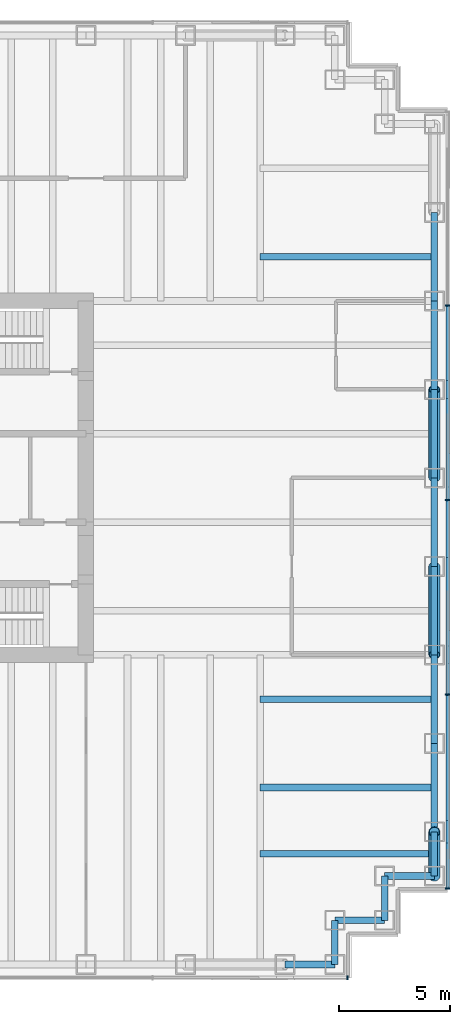
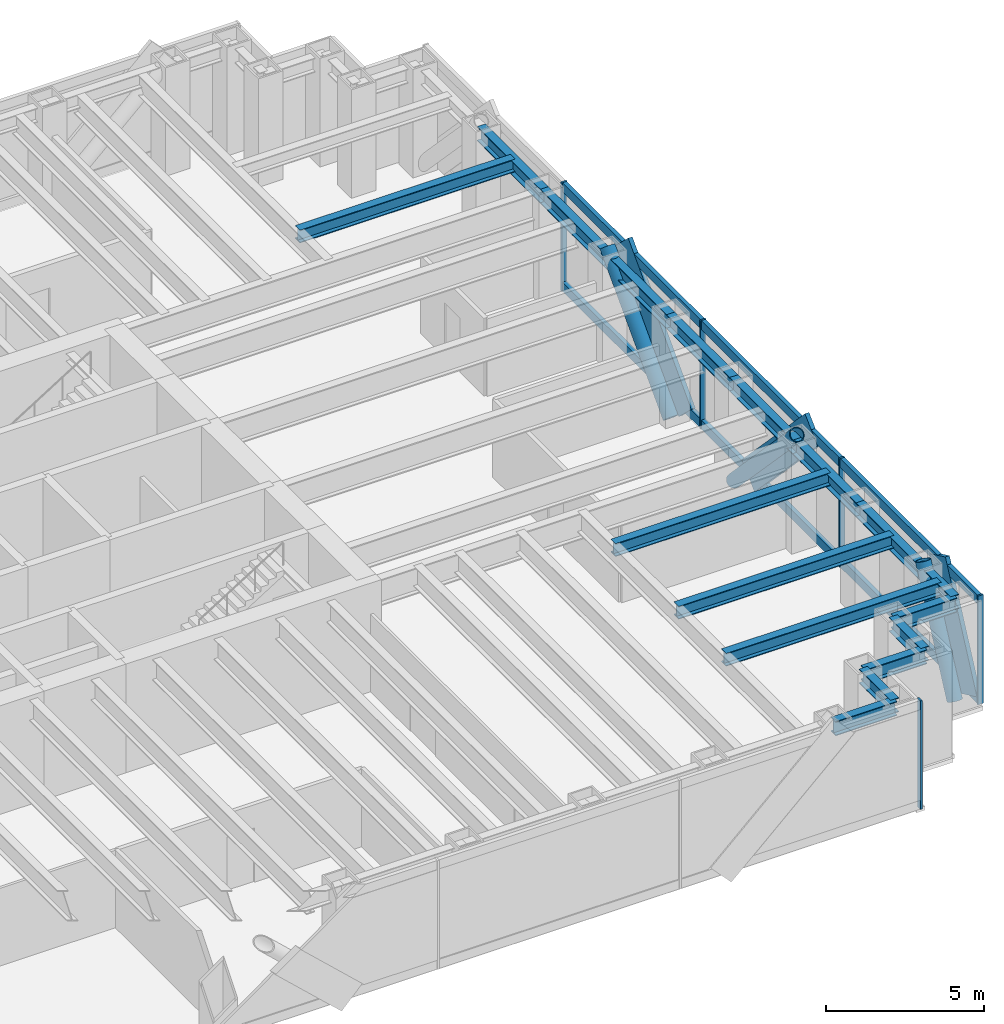
# One storey, part 8 of 15: 17 beams, 17 members, 2 elements without a shape of their own.
"""IFC4 building model written with IfcOpenShell, lengths in metres."""

from ifc_helpers import new_model, si_unit, direction, frame, origin, origin_2d, place, context, subcontext, project, spatial, rectangle, hollow_circle, i_section, extrude, material, material_profile, profile_set, type_object, element, aggregate, save


model = new_model("IFC4")

# Units and contexts
model_context = context("Model", 3, precision=1e-05, world=origin(), true_north=direction((0.0, 1.0)))
body_context = subcontext(model_context, "Body", "Model", "MODEL_VIEW")
ifc_project = project(units=[si_unit("LENGTHUNIT", "METRE"), si_unit("AREAUNIT", "SQUARE_METRE"), si_unit("VOLUMEUNIT", "CUBIC_METRE"), si_unit("PLANEANGLEUNIT", "RADIAN"), si_unit("MASSUNIT", "GRAM", prefix="KILO")], contexts=[model_context])

# Site, building, storey
site_placement = place(None, origin())
site = spatial("IfcSite", under=ifc_project, at=site_placement, CompositionType="ELEMENT")
building_placement = place(site_placement, origin())
building = spatial("IfcBuilding", under=site, at=building_placement, Name="Rheinbord Bourse Tower", CompositionType="ELEMENT")
storey_placement = place(building_placement, frame((0.0, 0.0, 296.300048828125)))
storey = spatial("IfcBuildingStorey", under=building, at=storey_placement, Name="L67", CompositionType="ELEMENT", Elevation=296.300048828125)

# Curtain wall, members
ifc_material_1 = material(Name="Dark glass and black aluminium", Category="aluminium")
curtain_wall_type = type_object("IfcCurtainWallType", Name="CW3 DARK GLASS CURTAIN WALL", PredefinedType="USERDEFINED", material=ifc_material_1)
curtain_wall_1_placement = place(storey_placement, origin())
curtain_wall_1 = element("IfcCurtainWall", 1, at=curtain_wall_1_placement, inside=storey, type_object=curtain_wall_type, Name="Curtain wall CW3 E L67", ObjectType="UNITISED CURTAIN WALL", PredefinedType="USERDEFINED")
ifc_material_2 = material(Name="Black anodised aluminium", Category="aluminium")
ifc_material_profile_1 = material_profile(ifc_material_2, rectangle(XDim=0.14990234375, YDim=1.10791015625, at=origin_2d()), Name="CW3 DIAGONAL MULLION 1108x150")
ifc_profile_set_1 = profile_set([ifc_material_profile_1], Name="Black anodised aluminium")
member_type_1 = type_object("IfcMemberType", Name="CW3 BLACK DIAGONAL MULLION", PredefinedType="USERDEFINED", material=ifc_profile_set_1)
member_1_placement = place(storey_placement, frame((70.35009765625, 20.0, 0.0), z_axis=(0.0, -0.689659376744, 0.724133926887), x_axis=(1.0, 0.0, 0.0)))
member_1 = element("IfcMember", 2, at=member_1_placement, type_object=member_type_1, Name="CW3 diagonal mullion a", ObjectType="DIAGONAL MULLION", PredefinedType="USERDEFINED", context=body_context, shape_type="SweptSolid", body=[
    extrude(rectangle(XDim=0.14990234375, YDim=1.10791015625, at=origin_2d()), origin(), (0.0, 0.0, 1.0), 5.800048828125),
])
member_2_placement = place(storey_placement, frame((70.35009765625, 24.0, 0.0), z_axis=(0.0, 0.689659376744, 0.724133926887), x_axis=(-1.0, 0.0, 0.0)))
member_2 = element("IfcMember", 3, at=member_2_placement, type_object=member_type_1, Name="CW3 diagonal mullion b", ObjectType="DIAGONAL MULLION", PredefinedType="USERDEFINED", context=body_context, shape_type="SweptSolid", body=[
    extrude(rectangle(XDim=0.14990234375, YDim=1.10791015625, at=origin_2d()), origin(), (0.0, 0.0, 1.0), 5.800048828125),
])
member_3_placement = place(storey_placement, frame((70.35009765625, 6.0, 0.0), z_axis=(0.0, 0.429937654825, 0.902858578607), x_axis=(-1.0, 0.0, 0.0)))
member_3 = element("IfcMember", 4, at=member_3_placement, type_object=member_type_1, Name="CW3 diagonal mullion c", ObjectType="DIAGONAL MULLION", PredefinedType="USERDEFINED", context=body_context, shape_type="SweptSolid", body=[
    extrude(rectangle(XDim=0.14990234375, YDim=1.10791015625, at=origin_2d()), origin(), (0.0, 0.0, 1.0), 4.65185546875),
])

# Curtain wall, member
curtain_wall_2_placement = place(storey_placement, origin())
curtain_wall_2 = element("IfcCurtainWall", 5, at=curtain_wall_2_placement, inside=storey, type_object=curtain_wall_type, Name="Curtain wall CW3 S L67", ObjectType="UNITISED CURTAIN WALL", PredefinedType="USERDEFINED")
ifc_material_3 = material(Name="Black anodised aluminium", Category="aluminium")
ifc_material_profile_2 = material_profile(ifc_material_3, rectangle(XDim=0.199951171875, YDim=0.06494140625, at=origin_2d()), Name="CW3 MULLION 65x200")
ifc_profile_set_2 = profile_set([ifc_material_profile_2], Name="Black anodised aluminium")
member_type_2 = type_object("IfcMemberType", Name="CW3 BLACK MULLION", PredefinedType="MULLION", material=ifc_profile_set_2)
member_4_placement = place(storey_placement, frame((65.8173828125, 1.39990234375, 0.0), z_axis=(0.0, 0.0, 1.0), x_axis=(0.0, 1.0, 0.0)))
member_4 = element("IfcMember", 6, at=member_4_placement, type_object=member_type_2, Name="CW3 mullion 8", PredefinedType="MULLION", context=body_context, shape_type="SweptSolid", body=[
    extrude(rectangle(XDim=0.199951171875, YDim=0.06494140625, at=origin_2d()), origin(), (0.0, 0.0, 1.0), 4.199951171875),
])
aggregate(curtain_wall_2, [member_4])

# Member
member_5_placement = place(storey_placement, frame((70.35009765625, 5.4326171875, 0.0), z_axis=(0.0, 0.0, 1.0), x_axis=(-1.0, 0.0, 0.0)))
member_5 = element("IfcMember", 7, at=member_5_placement, type_object=member_type_2, Name="CW3 mullion 1", PredefinedType="MULLION", context=body_context, shape_type="SweptSolid", body=[
    extrude(rectangle(XDim=0.199951171875, YDim=0.06494140625, at=origin_2d()), origin(), (0.0, 0.0, 1.0), 4.199951171875),
])

member_6_placement = place(storey_placement, frame((70.35009765625, 14.199951171875, 0.0), z_axis=(0.0, 0.0, 1.0), x_axis=(-1.0, 0.0, 0.0)))
member_6 = element("IfcMember", 8, at=member_6_placement, type_object=member_type_2, Name="CW3 mullion 2", PredefinedType="MULLION", context=body_context, shape_type="SweptSolid", body=[
    extrude(rectangle(XDim=0.199951171875, YDim=0.06494140625, at=origin_2d()), origin(), (0.0, 0.0, 1.0), 4.199951171875),
])

member_7_placement = place(storey_placement, frame((70.35009765625, 23.0, 0.0), z_axis=(0.0, 0.0, 1.0), x_axis=(-1.0, 0.0, 0.0)))
member_7 = element("IfcMember", 9, at=member_7_placement, type_object=member_type_2, Name="CW3 mullion 3", PredefinedType="MULLION", context=body_context, shape_type="SweptSolid", body=[
    extrude(rectangle(XDim=0.199951171875, YDim=0.06494140625, at=origin_2d()), origin(), (0.0, 0.0, 1.0), 4.199951171875),
])

member_8_placement = place(storey_placement, frame((70.35009765625, 31.800048828125, 0.0), z_axis=(0.0, 0.0, 1.0), x_axis=(-1.0, 0.0, 0.0)))
member_8 = element("IfcMember", 10, at=member_8_placement, type_object=member_type_2, Name="CW3 mullion 4", PredefinedType="MULLION", context=body_context, shape_type="SweptSolid", body=[
    extrude(rectangle(XDim=0.199951171875, YDim=0.06494140625, at=origin_2d()), origin(), (0.0, 0.0, 1.0), 4.199951171875),
])

ifc_material_4 = material(Name="Black anodised aluminium", Category="aluminium")
ifc_material_profile_3 = material_profile(ifc_material_4, rectangle(XDim=0.14990234375, YDim=0.35009765625, at=origin_2d()), Name="CW3 TRANSOM 350x150")
ifc_profile_set_3 = profile_set([ifc_material_profile_3], Name="Black anodised aluminium")
member_type_3 = type_object("IfcMemberType", Name="CW3 BLACK TRANSOM", PredefinedType="USERDEFINED", material=ifc_profile_set_3)
member_9_placement = place(storey_placement, frame((70.35009765625, 5.465087890625, 0.175048828125), z_axis=(0.0, 1.0, 0.0), x_axis=(-1.0, 0.0, 0.0)))
member_9 = element("IfcMember", 11, at=member_9_placement, type_object=member_type_3, Name="CW3 transom 1.1", ObjectType="TRANSOM", PredefinedType="USERDEFINED", context=body_context, shape_type="SweptSolid", body=[
    extrude(rectangle(XDim=0.14990234375, YDim=0.35009765625, at=origin_2d()), origin(), (0.0, 0.0, 1.0), 8.702392578125),
])

member_10_placement = place(storey_placement, frame((70.35009765625, 5.465087890625, 4.02490234375), z_axis=(0.0, 1.0, 0.0), x_axis=(-1.0, 0.0, 0.0)))
member_10 = element("IfcMember", 12, at=member_10_placement, type_object=member_type_3, Name="CW3 transom 1.2", ObjectType="TRANSOM", PredefinedType="USERDEFINED", context=body_context, shape_type="SweptSolid", body=[
    extrude(rectangle(XDim=0.14990234375, YDim=0.35009765625, at=origin_2d()), origin(), (0.0, 0.0, 1.0), 8.702392578125),
])

member_11_placement = place(storey_placement, frame((70.35009765625, 14.232421875, 0.175048828125), z_axis=(0.0, 1.0, 0.0), x_axis=(-1.0, 0.0, 0.0)))
member_11 = element("IfcMember", 13, at=member_11_placement, type_object=member_type_3, Name="CW3 transom 2.1", ObjectType="TRANSOM", PredefinedType="USERDEFINED", context=body_context, shape_type="SweptSolid", body=[
    extrude(rectangle(XDim=0.14990234375, YDim=0.35009765625, at=origin_2d()), origin(), (0.0, 0.0, 1.0), 8.735107421875),
])

member_12_placement = place(storey_placement, frame((70.35009765625, 14.232421875, 4.02490234375), z_axis=(0.0, 1.0, 0.0), x_axis=(-1.0, 0.0, 0.0)))
member_12 = element("IfcMember", 14, at=member_12_placement, type_object=member_type_3, Name="CW3 transom 2.2", ObjectType="TRANSOM", PredefinedType="USERDEFINED", context=body_context, shape_type="SweptSolid", body=[
    extrude(rectangle(XDim=0.14990234375, YDim=0.35009765625, at=origin_2d()), origin(), (0.0, 0.0, 1.0), 8.735107421875),
])

member_13_placement = place(storey_placement, frame((70.35009765625, 23.032470703125, 0.175048828125), z_axis=(0.0, 1.0, 0.0), x_axis=(-1.0, 0.0, 0.0)))
member_13 = element("IfcMember", 15, at=member_13_placement, type_object=member_type_3, Name="CW3 transom 3.1", ObjectType="TRANSOM", PredefinedType="USERDEFINED", context=body_context, shape_type="SweptSolid", body=[
    extrude(rectangle(XDim=0.14990234375, YDim=0.35009765625, at=origin_2d()), origin(), (0.0, 0.0, 1.0), 8.735107421875),
])

member_14_placement = place(storey_placement, frame((70.35009765625, 23.032470703125, 4.02490234375), z_axis=(0.0, 1.0, 0.0), x_axis=(-1.0, 0.0, 0.0)))
member_14 = element("IfcMember", 16, at=member_14_placement, type_object=member_type_3, Name="CW3 transom 3.2", ObjectType="TRANSOM", PredefinedType="USERDEFINED", context=body_context, shape_type="SweptSolid", body=[
    extrude(rectangle(XDim=0.14990234375, YDim=0.35009765625, at=origin_2d()), origin(), (0.0, 0.0, 1.0), 8.735107421875),
])

aggregate(curtain_wall_1, [member_5, member_6, member_7, member_8, member_9, member_10, member_11, member_12, member_13, member_14, member_1, member_2, member_3])

# Members
ifc_material_5 = material(Name="Steel S460", Category="steel")
ifc_material_profile_4 = material_profile(ifc_material_5, hollow_circle(Radius=0.25390625, WallThickness=0.030029296875, at=origin_2d()), Name="CHS 508x30")
ifc_profile_set_4 = profile_set([ifc_material_profile_4], Name="Steel S460")
member_type_4 = type_object("IfcMemberType", Name="MEGABRACE CHS 508x30", PredefinedType="BRACE", material=ifc_profile_set_4)
for number, where, z_axis, x_axis, name in (
    (17, (69.75, 20.0, 0.0), (0.0, -0.689659376744, 0.724133926887), (1.0, 0.0, 0.0), "Megabrace E face line a L67"),
    (18, (69.75, 24.0, 0.0), (0.0, 0.689659376744, 0.724133926887), (-1.0, 0.0, 0.0), "Megabrace E face line b L67"),
):
    element("IfcMember", number, at=place(storey_placement, frame(where, z_axis=z_axis, x_axis=x_axis)), inside=storey, type_object=member_type_4, Name=name, PredefinedType="BRACE", context=body_context, shape_type="SweptSolid", body=[
        extrude(hollow_circle(Radius=0.25390625, WallThickness=0.030029296875, at=origin_2d()), origin(), (0.0, 0.0, 1.0), 5.800048828125),
    ])
member_15_placement = place(storey_placement, frame((69.75, 6.0, 0.0), z_axis=(0.0, 0.429937654825, 0.902858578607), x_axis=(-1.0, 0.0, 0.0)))
element("IfcMember", 19, at=member_15_placement, inside=storey, type_object=member_type_4, Name="Megabrace E face line c L67", PredefinedType="BRACE", context=body_context, shape_type="SweptSolid", body=[
    extrude(hollow_circle(Radius=0.25390625, WallThickness=0.030029296875, at=origin_2d()), origin(), (0.0, 0.0, 1.0), 4.65185546875),
])

# Beams
ifc_material_6 = material(Name="Steel S460", Category="steel")
ifc_material_profile_5 = material_profile(ifc_material_6, i_section(OverallWidth=0.300048828125, OverallDepth=0.550048828125, WebThickness=0.014892578125, FlangeThickness=0.029052734375, at=origin_2d()), Name="HEB 550")
ifc_profile_set_5 = profile_set([ifc_material_profile_5], Name="Steel S460")
beam_type_1 = type_object("IfcBeamType", Name="SPANDREL HEB 550", PredefinedType="SPANDREL", material=ifc_profile_set_5)
beam_1_placement = place(storey_placement, frame((63.0, 2.0, 3.764892578125), z_axis=(1.0, 0.0, 0.0), x_axis=(0.0, 1.0, 0.0)))
element("IfcBeam", 20, at=beam_1_placement, inside=storey, type_object=beam_type_1, Name="Spandrel S-63-SE-E under L68", PredefinedType="SPANDREL", context=body_context, shape_type="SweptSolid", body=[
    extrude(i_section(OverallWidth=0.300048828125, OverallDepth=0.550048828125, WebThickness=0.014892578125, FlangeThickness=0.029052734375, at=origin_2d()), origin(), (0.0, 0.0, 1.0), 2.25),
])
beam_2_placement = place(storey_placement, frame((65.25, 2.0, 3.764892578125), z_axis=(0.0, 1.0, 0.0), x_axis=(-1.0, 0.0, 0.0)))
element("IfcBeam", 21, at=beam_2_placement, inside=storey, type_object=beam_type_1, Name="Spandrel SE-E-SE-D under L68", PredefinedType="SPANDREL", context=body_context, shape_type="SweptSolid", body=[
    extrude(i_section(OverallWidth=0.300048828125, OverallDepth=0.550048828125, WebThickness=0.014892578125, FlangeThickness=0.029052734375, at=origin_2d()), origin(), (0.0, 0.0, 1.0), 2.0),
])
beam_3_placement = place(storey_placement, frame((65.25, 4.0, 3.764892578125), z_axis=(1.0, 0.0, 0.0), x_axis=(0.0, 1.0, 0.0)))
element("IfcBeam", 22, at=beam_3_placement, inside=storey, type_object=beam_type_1, Name="Spandrel SE-D-SE-C under L68", PredefinedType="SPANDREL", context=body_context, shape_type="SweptSolid", body=[
    extrude(i_section(OverallWidth=0.300048828125, OverallDepth=0.550048828125, WebThickness=0.014892578125, FlangeThickness=0.029052734375, at=origin_2d()), origin(), (0.0, 0.0, 1.0), 2.25),
])
beam_4_placement = place(storey_placement, frame((67.5, 4.0, 3.764892578125), z_axis=(0.0, 1.0, 0.0), x_axis=(-1.0, 0.0, 0.0)))
element("IfcBeam", 23, at=beam_4_placement, inside=storey, type_object=beam_type_1, Name="Spandrel SE-C-SE-B under L68", PredefinedType="SPANDREL", context=body_context, shape_type="SweptSolid", body=[
    extrude(i_section(OverallWidth=0.300048828125, OverallDepth=0.550048828125, WebThickness=0.014892578125, FlangeThickness=0.029052734375, at=origin_2d()), origin(), (0.0, 0.0, 1.0), 2.0),
])
beam_5_placement = place(storey_placement, frame((67.5, 6.0, 3.764892578125), z_axis=(1.0, 0.0, 0.0), x_axis=(0.0, 1.0, 0.0)))
element("IfcBeam", 24, at=beam_5_placement, inside=storey, type_object=beam_type_1, Name="Spandrel SE-B-SE-A under L68", PredefinedType="SPANDREL", context=body_context, shape_type="SweptSolid", body=[
    extrude(i_section(OverallWidth=0.300048828125, OverallDepth=0.550048828125, WebThickness=0.014892578125, FlangeThickness=0.029052734375, at=origin_2d()), origin(), (0.0, 0.0, 1.0), 2.25),
])
beam_6_placement = place(storey_placement, frame((69.75, 6.0, 3.764892578125), z_axis=(0.0, 1.0, 0.0), x_axis=(-1.0, 0.0, 0.0)))
element("IfcBeam", 25, at=beam_6_placement, inside=storey, type_object=beam_type_1, Name="Spandrel SE-A-E-8 under L68", PredefinedType="SPANDREL", context=body_context, shape_type="SweptSolid", body=[
    extrude(i_section(OverallWidth=0.300048828125, OverallDepth=0.550048828125, WebThickness=0.014892578125, FlangeThickness=0.029052734375, at=origin_2d()), origin(), (0.0, 0.0, 1.0), 2.0),
])
for number, where, z_axis, x_axis, name in (
    (26, (69.75, 8.0, 3.764892578125), (0.0, 1.0, 0.0), (-1.0, 0.0, 0.0), "Spandrel E-8-E-12 under L68"),
    (27, (69.75, 12.0, 3.764892578125), (0.0, 1.0, 0.0), (-1.0, 0.0, 0.0), "Spandrel E-12-E-16 under L68"),
    (28, (69.75, 16.0, 3.764892578125), (0.0, 1.0, 0.0), (-1.0, 0.0, 0.0), "Spandrel E-16-E-20 under L68"),
    (29, (69.75, 20.0, 3.764892578125), (0.0, 1.0, 0.0), (-1.0, 0.0, 0.0), "Spandrel E-20-E-24 under L68"),
    (30, (69.75, 24.0, 3.764892578125), (0.0, 1.0, 0.0), (-1.0, 0.0, 0.0), "Spandrel E-24-E-28 under L68"),
    (31, (69.75, 28.0, 3.764892578125), (0.0, 1.0, 0.0), (-1.0, 0.0, 0.0), "Spandrel E-28-E-32 under L68"),
    (32, (69.75, 32.0, 3.764892578125), (0.0, 1.0, 0.0), (-1.0, 0.0, 0.0), "Spandrel E-32-E-36 under L68"),
):
    element("IfcBeam", number, at=place(storey_placement, frame(where, z_axis=z_axis, x_axis=x_axis)), inside=storey, type_object=beam_type_1, Name=name, PredefinedType="SPANDREL", context=body_context, shape_type="SweptSolid", body=[
        extrude(i_section(OverallWidth=0.300048828125, OverallDepth=0.550048828125, WebThickness=0.014892578125, FlangeThickness=0.029052734375, at=origin_2d()), origin(), (0.0, 0.0, 1.0), 4.0),
    ])
ifc_material_7 = material(Name="Steel S460", Category="steel")
ifc_material_profile_6 = material_profile(ifc_material_7, i_section(OverallWidth=0.300048828125, OverallDepth=0.5, WebThickness=0.014404296875, FlangeThickness=0.028076171875, at=origin_2d()), Name="HEB 500")
ifc_profile_set_6 = profile_set([ifc_material_profile_6], Name="Steel S460")
beam_type_2 = type_object("IfcBeamType", Name="TIE BEAM HEB 500", PredefinedType="JOIST", material=ifc_profile_set_6)
for number, where, z_axis, x_axis, name in (
    (33, (61.875, 7.0, 3.7900390625), (1.0, 0.0, 0.0), (0.0, 1.0, 0.0), "Tie east 7 L68"),
    (34, (61.875, 10.0, 3.7900390625), (1.0, 0.0, 0.0), (0.0, 1.0, 0.0), "Tie east 10 L68"),
    (35, (61.875, 14.0, 3.7900390625), (1.0, 0.0, 0.0), (0.0, 1.0, 0.0), "Tie east 14 L68"),
    (36, (61.875, 34.0, 3.7900390625), (1.0, 0.0, 0.0), (0.0, 1.0, 0.0), "Tie east 34 L68"),
):
    element("IfcBeam", number, at=place(storey_placement, frame(where, z_axis=z_axis, x_axis=x_axis)), inside=storey, type_object=beam_type_2, Name=name, PredefinedType="JOIST", context=body_context, shape_type="SweptSolid", body=[
        extrude(i_section(OverallWidth=0.300048828125, OverallDepth=0.5, WebThickness=0.014404296875, FlangeThickness=0.028076171875, at=origin_2d()), origin(), (0.0, 0.0, 1.0), 7.875),
    ])

save(model, "model.ifc")
